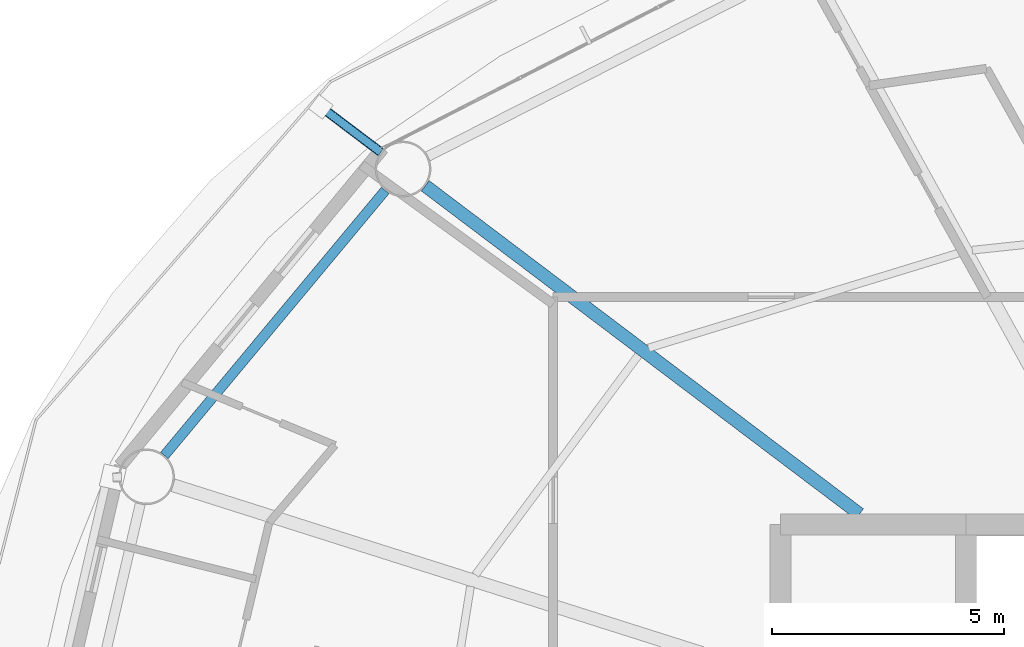
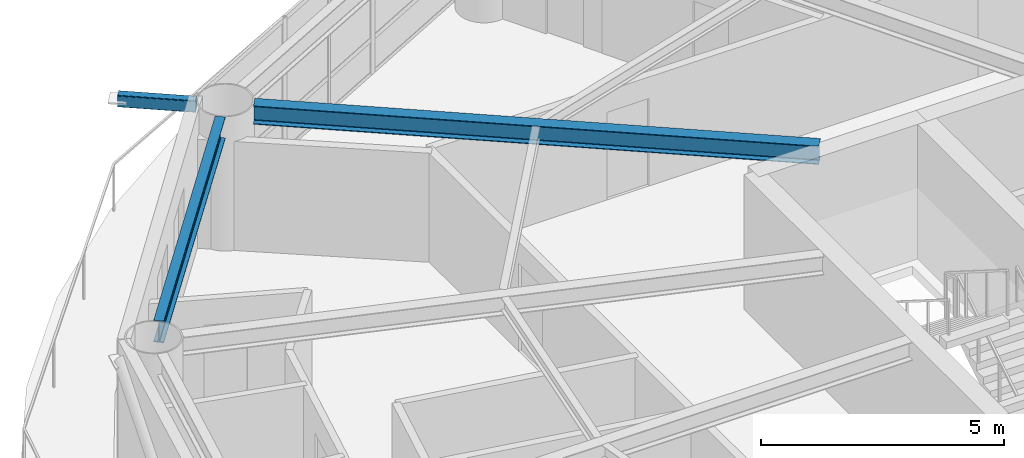
# One storey, part 10 of 27: 2 beams, 1 member.
"""IFC4 building model written with IfcOpenShell, lengths in metres."""

import ifcopenshell
import ifcopenshell.guid

model = None  # the IFC model being written
_history = None  # IfcOwnerHistory: only IFC2X3 demands one
_inside = {}  # id of a spatial element -> (the spatial element, [elements in it])
_under = {}  # id of a project, library or spatial element -> (it, [spatial elements below it])
_declared = {}  # id of a project -> (the project, [libraries it declares])
_typed = {}  # id of a type object -> (the type object, [elements of that type])
_made_of = {}  # id of a material, layer set ... -> (it, [elements and type objects made of it])


def new_model(schema):
    """Start an empty IFC model of exactly this schema.

    Asked for "IFC4X3", IfcOpenShell would pick the latest addendum, in which some entities
    have other attributes; the version numbers below select the first issue.
    IFC2X3 requires an IfcOwnerHistory on every rooted entity: one is made here for all.
    """
    global model, _history
    if schema == "IFC4X3":
        model = ifcopenshell.file(schema_version=(4, 3, 0, 0))
    else:
        model = ifcopenshell.file(schema=schema)
    _inside.clear()
    _under.clear()
    _declared.clear()
    _typed.clear()
    _made_of.clear()
    _history = None
    if model.schema == "IFC2X3":
        org = make("IfcOrganization", Name="unknown")
        user = make(
            "IfcPersonAndOrganization",
            ThePerson=make("IfcPerson", FamilyName="unknown"),
            TheOrganization=org,
        )
        app = make(
            "IfcApplication",
            ApplicationDeveloper=org,
            Version="unknown",
            ApplicationFullName="unknown",
            ApplicationIdentifier="unknown",
        )
        _history = make(
            "IfcOwnerHistory",
            OwningUser=user,
            OwningApplication=app,
            ChangeAction="ADDED",
            CreationDate=0,
        )
    return model


def make(cls, **values):
    """One entity of the class cls with the attributes given. An attribute that is None is left unset."""
    return model.create_entity(
        cls, **{name: value for name, value in values.items() if value is not None}
    )


def rooted(cls, **values):
    """An entity with a GlobalId (a new one), such as an element, a storey or a relation."""
    return make(cls, GlobalId=ifcopenshell.guid.new(), OwnerHistory=_history, **values)


def si_unit(unit_type, name, prefix=None):
    """IfcSIUnit, for example si_unit("LENGTHUNIT", "METRE", prefix="MILLI")."""
    return make("IfcSIUnit", UnitType=unit_type, Prefix=prefix, Name=name)


def assignment(units):
    """IfcUnitAssignment: the units of a project."""
    return None if units is None else make("IfcUnitAssignment", Units=units)


def point(xyz):
    """IfcCartesianPoint."""
    return None if xyz is None else make("IfcCartesianPoint", Coordinates=xyz)


def direction(xyz):
    """IfcDirection."""
    return None if xyz is None else make("IfcDirection", DirectionRatios=xyz)


def frame(location, z_axis=None, x_axis=None):
    """IfcAxis2Placement3D, a coordinate frame: its origin and axes. An axis left out is left unset."""
    return make(
        "IfcAxis2Placement3D",
        Location=point(location),
        Axis=direction(z_axis),
        RefDirection=direction(x_axis),
    )


def frame_2d(location, x_axis=None):
    """IfcAxis2Placement2D, a coordinate frame in the plane: its origin and x axis."""
    return make(
        "IfcAxis2Placement2D", Location=point(location), RefDirection=direction(x_axis)
    )


def origin():
    """The frame at (0, 0, 0) with its axes left unset."""
    return frame((0.0, 0.0, 0.0))


def origin_2d():
    """The frame at (0, 0) in the plane with its x axis left unset."""
    return frame_2d((0.0, 0.0))


def place(relative_to, where):
    """IfcLocalPlacement: puts the frame where relative to a parent placement (None: the world)."""
    return make(
        "IfcLocalPlacement", PlacementRelTo=relative_to, RelativePlacement=where
    )


def context(
    kind, dimensions, precision=None, world=None, true_north=None, identifier=None
):
    """IfcGeometricRepresentationContext, for example the 3D "Model" context."""
    return make(
        "IfcGeometricRepresentationContext",
        ContextIdentifier=identifier,
        ContextType=kind,
        CoordinateSpaceDimension=dimensions,
        Precision=precision,
        WorldCoordinateSystem=world,
        TrueNorth=true_north,
    )


def subcontext(parent, identifier, kind, view, scale=None):
    """IfcGeometricRepresentationSubContext, for example "Body" below "Model"."""
    return make(
        "IfcGeometricRepresentationSubContext",
        ContextIdentifier=identifier,
        ContextType=kind,
        ParentContext=parent,
        TargetScale=scale,
        TargetView=view,
    )


def project(units=None, contexts=None):
    """IfcProject with its units and contexts."""
    return rooted(
        "IfcProject",
        Name="project",
        RepresentationContexts=contexts,
        UnitsInContext=assignment(units),
    )


def spatial(cls, under=None, at=None, **own):
    """A site, building, storey or space (cls), placed at a placement, below another one or the project."""
    s = rooted(cls, ObjectPlacement=at, **own)
    if under is not None:
        _under.setdefault(under.id(), (under, []))[1].append(s)
    return s


def profile(cls, at=None, kind="AREA", **sizes):
    """A parametric profile (cls). Its sizes go by their IFC names, for example OverallWidth=200.0."""
    return make(cls, ProfileType=kind, Position=at, **sizes)


def hollow_rectangle(**sizes):
    """IfcRectangleHollowProfileDef."""
    return profile("IfcRectangleHollowProfileDef", **sizes)


def i_section(**sizes):
    """IfcIShapeProfileDef."""
    return profile("IfcIShapeProfileDef", **sizes)


def extrude(swept, where, along, depth):
    """IfcExtrudedAreaSolid: the profile swept, set in the frame where, extruded along a direction by depth."""
    return make(
        "IfcExtrudedAreaSolid",
        SweptArea=swept,
        Position=where,
        ExtrudedDirection=direction(along),
        Depth=depth,
    )


def shape(context_of_items, identifier, shape_type, items):
    """IfcShapeRepresentation: the items that make up one representation, for example the "Body"."""
    return make(
        "IfcShapeRepresentation",
        ContextOfItems=context_of_items,
        RepresentationIdentifier=identifier,
        RepresentationType=shape_type,
        Items=items,
    )


def material(Name=None, Category=None):
    """IfcMaterial."""
    return make("IfcMaterial", Name=Name, Category=Category)


def material_profile(
    of_material, cross_section, Name=None, Category=None, Priority=None
):
    """IfcMaterialProfile: a cross section and its material."""
    return make(
        "IfcMaterialProfile",
        Name=Name,
        Material=of_material,
        Profile=cross_section,
        Priority=Priority,
        Category=Category,
    )


def profile_set(profiles, Name=None, composite=None):
    """IfcMaterialProfileSet."""
    return make(
        "IfcMaterialProfileSet",
        Name=Name,
        MaterialProfiles=profiles,
        CompositeProfile=composite,
    )


def made_of(thing, what):
    """Note that an element or type object is made of a material, layer set ...; save() writes the relation."""
    if what is not None:
        _made_of.setdefault(what.id(), (what, []))[1].append(thing)
    return thing


def type_object(cls, material=None, **own):
    """A type object (cls), such as IfcWallType, which elements share."""
    return made_of(rooted(cls, **own), material)


def element(
    cls,
    number,
    at=None,
    inside=None,
    cuts=None,
    type_object=None,
    material=None,
    context=None,
    identifier="Body",
    shape_type=None,
    held_by="IfcProductDefinitionShape",
    body=None,
    shapes=None,
    **own,
):
    """One element of the class cls, such as IfcWall. Its Tag is "e" and its number.

    at: its placement. inside: the storey or other place that contains it. cuts: it is an
    opening in that element (IfcRelVoidsElement). A single representation is given by context,
    identifier, shape_type and body (its items); several are given by shapes. held_by: the class
    of the entity that holds the representations. save() writes the other relations.
    """
    e = rooted(cls, Tag="e%d" % number, ObjectPlacement=at, **own)
    if body is not None:
        shapes = [shape(context, identifier, shape_type, body)]
    if shapes is not None:
        e.Representation = make(held_by, Representations=shapes)
    if inside is not None:
        _inside.setdefault(inside.id(), (inside, []))[1].append(e)
    if cuts is not None:
        rooted(
            "IfcRelVoidsElement", RelatingBuildingElement=cuts, RelatedOpeningElement=e
        )
    if type_object is not None:
        _typed.setdefault(type_object.id(), (type_object, []))[1].append(e)
    return made_of(e, material)


def aggregate(whole, parts):
    """IfcRelAggregates: a whole, such as a stair, and the parts it consists of."""
    return rooted("IfcRelAggregates", RelatingObject=whole, RelatedObjects=parts)


def save(model, path):
    """Write the relations noted so far, then the file.

    IfcRelAggregates (storeys below a building ...), IfcRelContainedInSpatialStructure (elements
    in a storey), IfcRelDefinesByType, IfcRelAssociatesMaterial and IfcRelDeclares: one each for
    every whole, place, type object, material and project.
    """
    for whole, parts in _under.values():
        aggregate(whole, parts)
    for where, things in _inside.values():
        rooted(
            "IfcRelContainedInSpatialStructure",
            RelatedElements=things,
            RelatingStructure=where,
        )
    for kind, things in _typed.values():
        rooted("IfcRelDefinesByType", RelatedObjects=things, RelatingType=kind)
    for what, things in _made_of.values():
        rooted("IfcRelAssociatesMaterial", RelatedObjects=things, RelatingMaterial=what)
    for by, libraries in _declared.values():
        rooted("IfcRelDeclares", RelatingContext=by, RelatedDefinitions=libraries)
    model.write(path)


model = new_model("IFC4")

# Units and contexts
model_context = context("Model", 3, precision=1e-05, world=origin(), true_north=direction((0.0, 1.0)))
body_context = subcontext(model_context, "Body", "Model", "MODEL_VIEW")
ifc_project = project(units=[si_unit("LENGTHUNIT", "METRE"), si_unit("AREAUNIT", "SQUARE_METRE"), si_unit("VOLUMEUNIT", "CUBIC_METRE"), si_unit("PLANEANGLEUNIT", "RADIAN"), si_unit("MASSUNIT", "GRAM", prefix="KILO")], contexts=[model_context])

# Site, building, storey
site_placement = place(None, origin())
site = spatial("IfcSite", under=ifc_project, at=site_placement, CompositionType="ELEMENT")
building_placement = place(site_placement, origin())
building = spatial("IfcBuilding", under=site, at=building_placement, Name="Sarneth Arch Tower", CompositionType="ELEMENT")
storey_placement = place(building_placement, frame((0.0, 0.0, 186.60009765625)))
storey = spatial("IfcBuildingStorey", under=building, at=storey_placement, Name="L47", CompositionType="ELEMENT", Elevation=186.60009765625)

# Beams
ifc_material_1 = material(Name="Steel S355", Category="steel")
ifc_material_profile_1 = material_profile(ifc_material_1, i_section(OverallWidth=0.280029296875, OverallDepth=0.462890625, WebThickness=0.0107421875, FlangeThickness=0.017333984375, FilletRadius=0.01806640625, at=origin_2d()), Name="W460x113")
ifc_profile_set_1 = profile_set([ifc_material_profile_1], Name="Steel S355")
beam_type_1 = type_object("IfcBeamType", Name="BM-RAD-460A", PredefinedType="BEAM", material=ifc_profile_set_1)
beam_1_placement = place(storey_placement, frame((38.70458984375, 49.02490234375, 3.1484375), z_axis=(-0.797784574467, 0.602942594898, 0.0), x_axis=(-0.602942594898, -0.797784574467, 0.0)))
element("IfcBeam", 1, at=beam_1_placement, inside=storey, type_object=beam_type_1, Name="L47 Radial floor girder 07", PredefinedType="BEAM", context=body_context, shape_type="SweptSolid", body=[
    extrude(i_section(OverallWidth=0.280029296875, OverallDepth=0.462890625, WebThickness=0.0107421875, FlangeThickness=0.017333984375, FilletRadius=0.01806640625, at=origin_2d()), origin(), (0.0, 0.0, 1.0), 11.73193359375),
])
ifc_material_2 = material(Name="Steel S355", Category="steel")
ifc_material_profile_2 = material_profile(ifc_material_2, i_section(OverallWidth=0.214111328125, OverallDepth=0.549072265625, WebThickness=0.0146484375, FlangeThickness=0.023681640625, FilletRadius=0.01806640625, at=origin_2d()), Name="W530x138")
ifc_profile_set_2 = profile_set([ifc_material_profile_2], Name="Steel S355")
beam_type_2 = type_object("IfcBeamType", Name="BM-RAD-530A", PredefinedType="BEAM", material=ifc_profile_set_2)
beam_2_placement = place(storey_placement, frame((28.482177734375, 55.99951171875, 3.10546875), z_axis=(-0.640161793626, -0.768240117399, 0.0), x_axis=(0.768240117399, -0.640161793626, 0.0)))
element("IfcBeam", 2, at=beam_2_placement, inside=storey, type_object=beam_type_2, Name="L47 Perimeter spandrel beam 07", PredefinedType="BEAM", context=body_context, shape_type="SweptSolid", body=[
    extrude(i_section(OverallWidth=0.214111328125, OverallDepth=0.549072265625, WebThickness=0.0146484375, FlangeThickness=0.023681640625, FilletRadius=0.01806640625, at=origin_2d()), origin(), (0.0, 0.0, 1.0), 7.43603515625),
])

# Member
ifc_material_3 = material(Name="Steel S355", Category="steel")
ifc_material_profile_3 = material_profile(ifc_material_3, hollow_rectangle(XDim=0.199951171875, YDim=0.300048828125, WallThickness=0.012451171875, InnerFilletRadius=0.018798828125, OuterFilletRadius=0.03125, at=origin_2d()), Name="RHS300x200x12.5")
ifc_profile_set_3 = profile_set([ifc_material_profile_3], Name="Steel S355")
member_type = type_object("IfcMemberType", Name="MEM-CANT-STRUT", PredefinedType="STRUT", material=ifc_profile_set_3)
member_placement = place(storey_placement, frame((28.387451171875, 56.822021484375, 3.219970703125), z_axis=(-0.797735309656, 0.603007774186, 0.0), x_axis=(-0.603007774186, -0.797735309656, 0.0)))
element("IfcMember", 3, at=member_placement, inside=storey, type_object=member_type, Name="L47 Balcony cantilever bracket 07", PredefinedType="STRUT", context=body_context, shape_type="SweptSolid", body=[
    extrude(hollow_rectangle(XDim=0.199951171875, YDim=0.300048828125, WallThickness=0.012451171875, InnerFilletRadius=0.018798828125, OuterFilletRadius=0.03125, at=origin_2d()), origin(), (0.0, 0.0, 1.0), 1.62109375),
])

save(model, "model.ifc")
